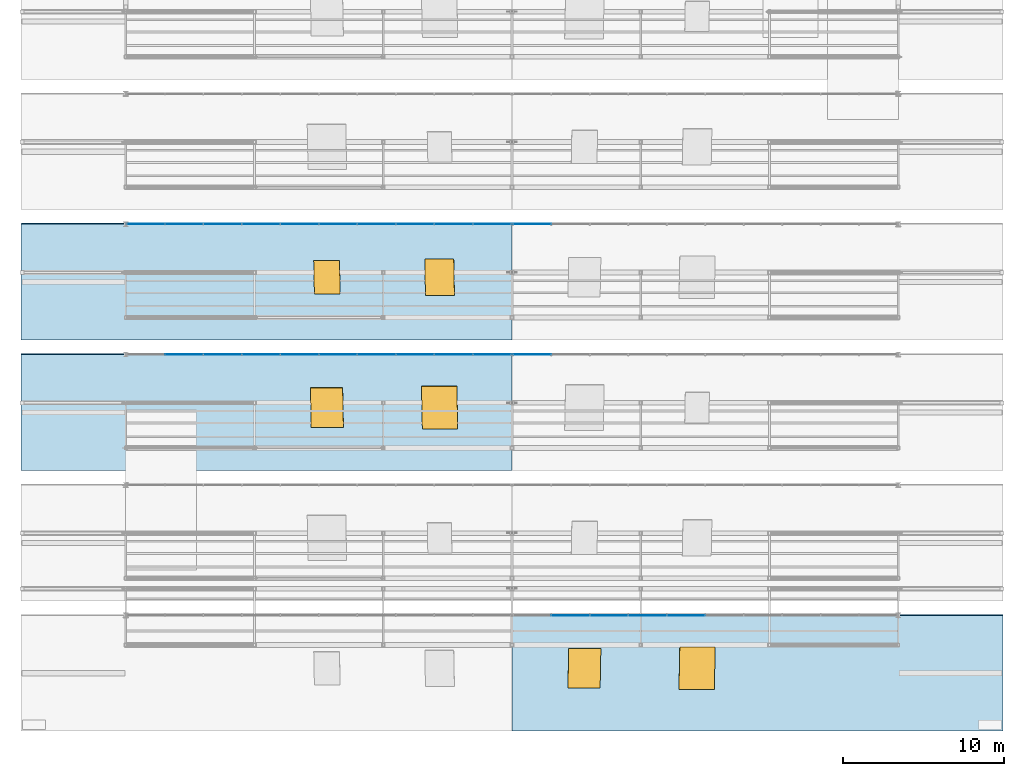
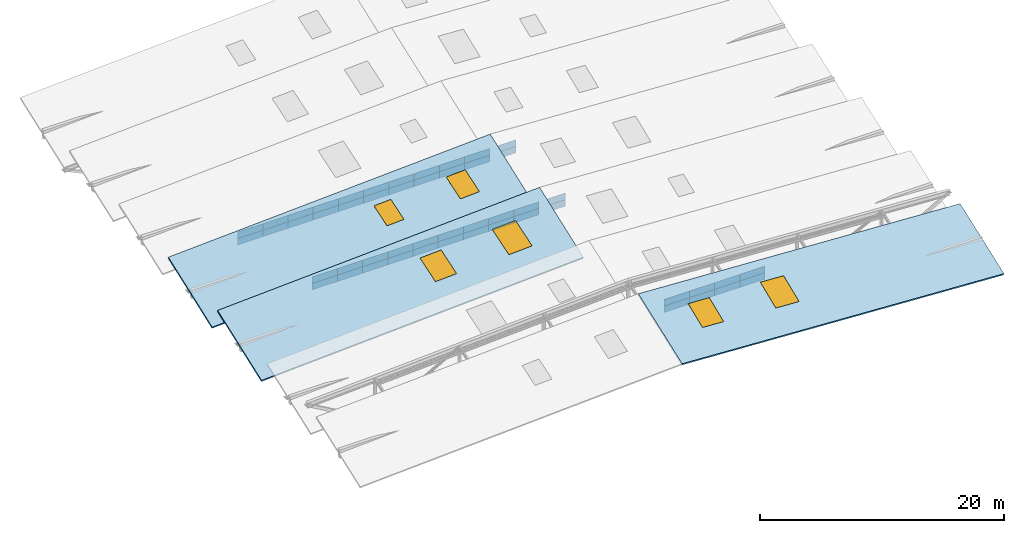
# One storey, part 127 of 141: 50 plates, 6 windows, 3 slabs, 6 openings, 6 elements without a shape of their own.
"""IFC4 building model written with IfcOpenShell, lengths in metres."""

from ifc_helpers import new_model, si_unit, direction, frame, origin, origin_2d, place, context, subcontext, project, spatial, polyline, rectangle, outline, extrude, material, layer, layer_set, type_object, element, fill, aggregate, save


model = new_model("IFC4")

# Units and contexts
model_context = context("Model", 3, precision=1e-05, world=origin(), true_north=direction((0.0, 1.0)))
body_context = subcontext(model_context, "Body", "Model", "MODEL_VIEW")
ifc_project = project(units=[si_unit("LENGTHUNIT", "METRE"), si_unit("AREAUNIT", "SQUARE_METRE"), si_unit("VOLUMEUNIT", "CUBIC_METRE"), si_unit("PLANEANGLEUNIT", "RADIAN"), si_unit("MASSUNIT", "GRAM", prefix="KILO")], contexts=[model_context])

# Site, building, storey
site_placement = place(None, origin())
site = spatial("IfcSite", under=ifc_project, at=site_placement, CompositionType="ELEMENT")
building_placement = place(site_placement, origin())
building = spatial("IfcBuilding", under=site, at=building_placement, Name="Sundkrona Museum", CompositionType="ELEMENT")
storey_placement = place(building_placement, frame((0.0, 0.0, 34.0)))
storey = spatial("IfcBuildingStorey", under=building, at=storey_placement, Name="RF", CompositionType="ELEMENT", Elevation=34.0)

# Curtain wall, plates
ifc_material_1 = material(Name="Unitised Aluminium-Steel and Ceramic-Clad Curtain Walling", Category="steel")
curtain_wall_type = type_object("IfcCurtainWallType", Name="CW-SW-240x13", PredefinedType="NOTDEFINED", material=ifc_material_1)
curtain_wall_1_placement = place(storey_placement, origin())
curtain_wall_1 = element("IfcCurtainWall", 1, at=curtain_wall_1_placement, inside=storey, type_object=curtain_wall_type, Name="Sawtooth Bay 1 East North-Light Clerestory", PredefinedType="NOTDEFINED")
ifc_material_2 = material(Name="North-Light Diffusing Triple Glazing 32 mm", Category="glass")
ifc_layer_1 = layer(ifc_material_2, 0.031982421875)
ifc_layer_set_1 = layer_set([ifc_layer_1], Name="North-Light Diffusing Triple Glazing 32 mm")
plate_type = type_object("IfcPlateType", Name="PN-GL-02", PredefinedType="CURTAIN_PANEL", material=ifc_layer_set_1)
plate_1_placement = place(storey_placement, frame((147.635009765625, 2.199951171875, 2.212890625), z_axis=(0.0, 0.0, 1.0), x_axis=(1.0, 0.0, 0.0)))
plate_1 = element("IfcPlate", 2, at=plate_1_placement, type_object=plate_type, Name="CW-RF-SAW-01E Panel 03", PredefinedType="CURTAIN_PANEL", context=body_context, shape_type="SweptSolid", body=[
    extrude(rectangle(XDim=2.389892578125, YDim=0.031982421875, at=origin_2d()), origin(), (0.0, 0.0, 1.0), 0.659912109375),
])
plate_2_placement = place(storey_placement, frame((147.635009765625, 2.199951171875, 2.873046875), z_axis=(0.0, 0.0, 1.0), x_axis=(1.0, 0.0, 0.0)))
plate_2 = element("IfcPlate", 3, at=plate_2_placement, type_object=plate_type, Name="CW-RF-SAW-01E Panel 04", PredefinedType="CURTAIN_PANEL", context=body_context, shape_type="SweptSolid", body=[
    extrude(rectangle(XDim=2.389892578125, YDim=0.031982421875, at=origin_2d()), origin(), (0.0, 0.0, 1.0), 0.659912109375),
])
plate_3_placement = place(storey_placement, frame((150.02490234375, 2.199951171875, 2.212890625), z_axis=(0.0, 0.0, 1.0), x_axis=(1.0, 0.0, 0.0)))
plate_3 = element("IfcPlate", 4, at=plate_3_placement, type_object=plate_type, Name="CW-RF-SAW-01E Panel 05", PredefinedType="CURTAIN_PANEL", context=body_context, shape_type="SweptSolid", body=[
    extrude(rectangle(XDim=2.389892578125, YDim=0.031982421875, at=origin_2d()), origin(), (0.0, 0.0, 1.0), 0.659912109375),
])
plate_4_placement = place(storey_placement, frame((150.02490234375, 2.199951171875, 2.873046875), z_axis=(0.0, 0.0, 1.0), x_axis=(1.0, 0.0, 0.0)))
plate_4 = element("IfcPlate", 5, at=plate_4_placement, type_object=plate_type, Name="CW-RF-SAW-01E Panel 06", PredefinedType="CURTAIN_PANEL", context=body_context, shape_type="SweptSolid", body=[
    extrude(rectangle(XDim=2.389892578125, YDim=0.031982421875, at=origin_2d()), origin(), (0.0, 0.0, 1.0), 0.659912109375),
])
plate_5_placement = place(storey_placement, frame((152.4150390625, 2.199951171875, 2.212890625), z_axis=(0.0, 0.0, 1.0), x_axis=(1.0, 0.0, 0.0)))
plate_5 = element("IfcPlate", 6, at=plate_5_placement, type_object=plate_type, Name="CW-RF-SAW-01E Panel 07", PredefinedType="CURTAIN_PANEL", context=body_context, shape_type="SweptSolid", body=[
    extrude(rectangle(XDim=2.389892578125, YDim=0.031982421875, at=origin_2d()), origin(), (0.0, 0.0, 1.0), 0.659912109375),
])
plate_6_placement = place(storey_placement, frame((152.4150390625, 2.199951171875, 2.873046875), z_axis=(0.0, 0.0, 1.0), x_axis=(1.0, 0.0, 0.0)))
plate_6 = element("IfcPlate", 7, at=plate_6_placement, type_object=plate_type, Name="CW-RF-SAW-01E Panel 08", PredefinedType="CURTAIN_PANEL", context=body_context, shape_type="SweptSolid", body=[
    extrude(rectangle(XDim=2.389892578125, YDim=0.031982421875, at=origin_2d()), origin(), (0.0, 0.0, 1.0), 0.659912109375),
])
plate_7_placement = place(storey_placement, frame((154.804931640625, 2.199951171875, 2.212890625), z_axis=(0.0, 0.0, 1.0), x_axis=(1.0, 0.0, 0.0)))
plate_7 = element("IfcPlate", 8, at=plate_7_placement, type_object=plate_type, Name="CW-RF-SAW-01E Panel 09", PredefinedType="CURTAIN_PANEL", context=body_context, shape_type="SweptSolid", body=[
    extrude(rectangle(XDim=2.389892578125, YDim=0.031982421875, at=origin_2d()), origin(), (0.0, 0.0, 1.0), 0.659912109375),
])
plate_8_placement = place(storey_placement, frame((154.804931640625, 2.199951171875, 2.873046875), z_axis=(0.0, 0.0, 1.0), x_axis=(1.0, 0.0, 0.0)))
plate_8 = element("IfcPlate", 9, at=plate_8_placement, type_object=plate_type, Name="CW-RF-SAW-01E Panel 10", PredefinedType="CURTAIN_PANEL", context=body_context, shape_type="SweptSolid", body=[
    extrude(rectangle(XDim=2.389892578125, YDim=0.031982421875, at=origin_2d()), origin(), (0.0, 0.0, 1.0), 0.659912109375),
])
aggregate(curtain_wall_1, [plate_1, plate_2, plate_3, plate_4, plate_5, plate_6, plate_7, plate_8])

curtain_wall_2_placement = place(storey_placement, origin())
curtain_wall_2 = element("IfcCurtainWall", 10, at=curtain_wall_2_placement, inside=storey, type_object=curtain_wall_type, Name="Sawtooth Bay 3 West North-Light Clerestory", PredefinedType="NOTDEFINED")
plate_9_placement = place(storey_placement, frame((123.635009765625, 18.39990234375, 3.05322265625), z_axis=(0.0, 0.0, 1.0), x_axis=(1.0, 0.0, 0.0)))
plate_9 = element("IfcPlate", 11, at=plate_9_placement, type_object=plate_type, Name="CW-RF-SAW-03W Panel 03", PredefinedType="CURTAIN_PANEL", context=body_context, shape_type="SweptSolid", body=[
    extrude(rectangle(XDim=2.389892578125, YDim=0.031982421875, at=origin_2d()), origin(), (0.0, 0.0, 1.0), 0.659912109375),
])
plate_10_placement = place(storey_placement, frame((123.635009765625, 18.39990234375, 3.712890625), z_axis=(0.0, 0.0, 1.0), x_axis=(1.0, 0.0, 0.0)))
plate_10 = element("IfcPlate", 12, at=plate_10_placement, type_object=plate_type, Name="CW-RF-SAW-03W Panel 04", PredefinedType="CURTAIN_PANEL", context=body_context, shape_type="SweptSolid", body=[
    extrude(rectangle(XDim=2.389892578125, YDim=0.031982421875, at=origin_2d()), origin(), (0.0, 0.0, 1.0), 0.659912109375),
])
plate_11_placement = place(storey_placement, frame((126.02490234375, 18.39990234375, 3.05322265625), z_axis=(0.0, 0.0, 1.0), x_axis=(1.0, 0.0, 0.0)))
plate_11 = element("IfcPlate", 13, at=plate_11_placement, type_object=plate_type, Name="CW-RF-SAW-03W Panel 05", PredefinedType="CURTAIN_PANEL", context=body_context, shape_type="SweptSolid", body=[
    extrude(rectangle(XDim=2.389892578125, YDim=0.031982421875, at=origin_2d()), origin(), (0.0, 0.0, 1.0), 0.659912109375),
])
plate_12_placement = place(storey_placement, frame((126.02490234375, 18.39990234375, 3.712890625), z_axis=(0.0, 0.0, 1.0), x_axis=(1.0, 0.0, 0.0)))
plate_12 = element("IfcPlate", 14, at=plate_12_placement, type_object=plate_type, Name="CW-RF-SAW-03W Panel 06", PredefinedType="CURTAIN_PANEL", context=body_context, shape_type="SweptSolid", body=[
    extrude(rectangle(XDim=2.389892578125, YDim=0.031982421875, at=origin_2d()), origin(), (0.0, 0.0, 1.0), 0.659912109375),
])
plate_13_placement = place(storey_placement, frame((128.4150390625, 18.39990234375, 3.05322265625), z_axis=(0.0, 0.0, 1.0), x_axis=(1.0, 0.0, 0.0)))
plate_13 = element("IfcPlate", 15, at=plate_13_placement, type_object=plate_type, Name="CW-RF-SAW-03W Panel 07", PredefinedType="CURTAIN_PANEL", context=body_context, shape_type="SweptSolid", body=[
    extrude(rectangle(XDim=2.389892578125, YDim=0.031982421875, at=origin_2d()), origin(), (0.0, 0.0, 1.0), 0.659912109375),
])
plate_14_placement = place(storey_placement, frame((128.4150390625, 18.39990234375, 3.712890625), z_axis=(0.0, 0.0, 1.0), x_axis=(1.0, 0.0, 0.0)))
plate_14 = element("IfcPlate", 16, at=plate_14_placement, type_object=plate_type, Name="CW-RF-SAW-03W Panel 08", PredefinedType="CURTAIN_PANEL", context=body_context, shape_type="SweptSolid", body=[
    extrude(rectangle(XDim=2.389892578125, YDim=0.031982421875, at=origin_2d()), origin(), (0.0, 0.0, 1.0), 0.659912109375),
])
plate_15_placement = place(storey_placement, frame((130.804931640625, 18.39990234375, 3.05322265625), z_axis=(0.0, 0.0, 1.0), x_axis=(1.0, 0.0, 0.0)))
plate_15 = element("IfcPlate", 17, at=plate_15_placement, type_object=plate_type, Name="CW-RF-SAW-03W Panel 09", PredefinedType="CURTAIN_PANEL", context=body_context, shape_type="SweptSolid", body=[
    extrude(rectangle(XDim=2.389892578125, YDim=0.031982421875, at=origin_2d()), origin(), (0.0, 0.0, 1.0), 0.659912109375),
])
plate_16_placement = place(storey_placement, frame((130.804931640625, 18.39990234375, 3.712890625), z_axis=(0.0, 0.0, 1.0), x_axis=(1.0, 0.0, 0.0)))
plate_16 = element("IfcPlate", 18, at=plate_16_placement, type_object=plate_type, Name="CW-RF-SAW-03W Panel 10", PredefinedType="CURTAIN_PANEL", context=body_context, shape_type="SweptSolid", body=[
    extrude(rectangle(XDim=2.389892578125, YDim=0.031982421875, at=origin_2d()), origin(), (0.0, 0.0, 1.0), 0.659912109375),
])
plate_17_placement = place(storey_placement, frame((133.195068359375, 18.39990234375, 3.05322265625), z_axis=(0.0, 0.0, 1.0), x_axis=(1.0, 0.0, 0.0)))
plate_17 = element("IfcPlate", 19, at=plate_17_placement, type_object=plate_type, Name="CW-RF-SAW-03W Panel 11", PredefinedType="CURTAIN_PANEL", context=body_context, shape_type="SweptSolid", body=[
    extrude(rectangle(XDim=2.389892578125, YDim=0.031982421875, at=origin_2d()), origin(), (0.0, 0.0, 1.0), 0.659912109375),
])
plate_18_placement = place(storey_placement, frame((133.195068359375, 18.39990234375, 3.712890625), z_axis=(0.0, 0.0, 1.0), x_axis=(1.0, 0.0, 0.0)))
plate_18 = element("IfcPlate", 20, at=plate_18_placement, type_object=plate_type, Name="CW-RF-SAW-03W Panel 12", PredefinedType="CURTAIN_PANEL", context=body_context, shape_type="SweptSolid", body=[
    extrude(rectangle(XDim=2.389892578125, YDim=0.031982421875, at=origin_2d()), origin(), (0.0, 0.0, 1.0), 0.659912109375),
])
plate_19_placement = place(storey_placement, frame((135.5849609375, 18.39990234375, 3.05322265625), z_axis=(0.0, 0.0, 1.0), x_axis=(1.0, 0.0, 0.0)))
plate_19 = element("IfcPlate", 21, at=plate_19_placement, type_object=plate_type, Name="CW-RF-SAW-03W Panel 13", PredefinedType="CURTAIN_PANEL", context=body_context, shape_type="SweptSolid", body=[
    extrude(rectangle(XDim=2.389892578125, YDim=0.031982421875, at=origin_2d()), origin(), (0.0, 0.0, 1.0), 0.659912109375),
])
plate_20_placement = place(storey_placement, frame((135.5849609375, 18.39990234375, 3.712890625), z_axis=(0.0, 0.0, 1.0), x_axis=(1.0, 0.0, 0.0)))
plate_20 = element("IfcPlate", 22, at=plate_20_placement, type_object=plate_type, Name="CW-RF-SAW-03W Panel 14", PredefinedType="CURTAIN_PANEL", context=body_context, shape_type="SweptSolid", body=[
    extrude(rectangle(XDim=2.389892578125, YDim=0.031982421875, at=origin_2d()), origin(), (0.0, 0.0, 1.0), 0.659912109375),
])
plate_21_placement = place(storey_placement, frame((137.97509765625, 18.39990234375, 3.05322265625), z_axis=(0.0, 0.0, 1.0), x_axis=(1.0, 0.0, 0.0)))
plate_21 = element("IfcPlate", 23, at=plate_21_placement, type_object=plate_type, Name="CW-RF-SAW-03W Panel 15", PredefinedType="CURTAIN_PANEL", context=body_context, shape_type="SweptSolid", body=[
    extrude(rectangle(XDim=2.389892578125, YDim=0.031982421875, at=origin_2d()), origin(), (0.0, 0.0, 1.0), 0.659912109375),
])
plate_22_placement = place(storey_placement, frame((137.97509765625, 18.39990234375, 3.712890625), z_axis=(0.0, 0.0, 1.0), x_axis=(1.0, 0.0, 0.0)))
plate_22 = element("IfcPlate", 24, at=plate_22_placement, type_object=plate_type, Name="CW-RF-SAW-03W Panel 16", PredefinedType="CURTAIN_PANEL", context=body_context, shape_type="SweptSolid", body=[
    extrude(rectangle(XDim=2.389892578125, YDim=0.031982421875, at=origin_2d()), origin(), (0.0, 0.0, 1.0), 0.659912109375),
])
plate_23_placement = place(storey_placement, frame((140.364990234375, 18.39990234375, 3.05322265625), z_axis=(0.0, 0.0, 1.0), x_axis=(1.0, 0.0, 0.0)))
plate_23 = element("IfcPlate", 25, at=plate_23_placement, type_object=plate_type, Name="CW-RF-SAW-03W Panel 17", PredefinedType="CURTAIN_PANEL", context=body_context, shape_type="SweptSolid", body=[
    extrude(rectangle(XDim=2.389892578125, YDim=0.031982421875, at=origin_2d()), origin(), (0.0, 0.0, 1.0), 0.659912109375),
])
plate_24_placement = place(storey_placement, frame((140.364990234375, 18.39990234375, 3.712890625), z_axis=(0.0, 0.0, 1.0), x_axis=(1.0, 0.0, 0.0)))
plate_24 = element("IfcPlate", 26, at=plate_24_placement, type_object=plate_type, Name="CW-RF-SAW-03W Panel 18", PredefinedType="CURTAIN_PANEL", context=body_context, shape_type="SweptSolid", body=[
    extrude(rectangle(XDim=2.389892578125, YDim=0.031982421875, at=origin_2d()), origin(), (0.0, 0.0, 1.0), 0.659912109375),
])
plate_25_placement = place(storey_placement, frame((142.7548828125, 18.39990234375, 3.05322265625), z_axis=(0.0, 0.0, 1.0), x_axis=(1.0, 0.0, 0.0)))
plate_25 = element("IfcPlate", 27, at=plate_25_placement, type_object=plate_type, Name="CW-RF-SAW-03W Panel 19", PredefinedType="CURTAIN_PANEL", context=body_context, shape_type="SweptSolid", body=[
    extrude(rectangle(XDim=2.389892578125, YDim=0.031982421875, at=origin_2d()), origin(), (0.0, 0.0, 1.0), 0.659912109375),
])
plate_26_placement = place(storey_placement, frame((142.7548828125, 18.39990234375, 3.712890625), z_axis=(0.0, 0.0, 1.0), x_axis=(1.0, 0.0, 0.0)))
plate_26 = element("IfcPlate", 28, at=plate_26_placement, type_object=plate_type, Name="CW-RF-SAW-03W Panel 20", PredefinedType="CURTAIN_PANEL", context=body_context, shape_type="SweptSolid", body=[
    extrude(rectangle(XDim=2.389892578125, YDim=0.031982421875, at=origin_2d()), origin(), (0.0, 0.0, 1.0), 0.659912109375),
])
aggregate(curtain_wall_2, [plate_9, plate_10, plate_11, plate_12, plate_13, plate_14, plate_15, plate_16, plate_17, plate_18, plate_19, plate_20, plate_21, plate_22, plate_23, plate_24, plate_25, plate_26])

curtain_wall_3_placement = place(storey_placement, origin())
curtain_wall_3 = element("IfcCurtainWall", 29, at=curtain_wall_3_placement, inside=storey, type_object=curtain_wall_type, Name="Sawtooth Bay 3 East North-Light Clerestory", PredefinedType="NOTDEFINED")
plate_27_placement = place(storey_placement, frame((145.2451171875, 18.39990234375, 3.05322265625), z_axis=(0.0, 0.0, 1.0), x_axis=(1.0, 0.0, 0.0)))
plate_27 = element("IfcPlate", 30, at=plate_27_placement, type_object=plate_type, Name="CW-RF-SAW-03E Panel 01", PredefinedType="CURTAIN_PANEL", context=body_context, shape_type="SweptSolid", body=[
    extrude(rectangle(XDim=2.389892578125, YDim=0.031982421875, at=origin_2d()), origin(), (0.0, 0.0, 1.0), 0.659912109375),
])
plate_28_placement = place(storey_placement, frame((145.2451171875, 18.39990234375, 3.712890625), z_axis=(0.0, 0.0, 1.0), x_axis=(1.0, 0.0, 0.0)))
plate_28 = element("IfcPlate", 31, at=plate_28_placement, type_object=plate_type, Name="CW-RF-SAW-03E Panel 02", PredefinedType="CURTAIN_PANEL", context=body_context, shape_type="SweptSolid", body=[
    extrude(rectangle(XDim=2.389892578125, YDim=0.031982421875, at=origin_2d()), origin(), (0.0, 0.0, 1.0), 0.659912109375),
])
aggregate(curtain_wall_3, [plate_27, plate_28])

curtain_wall_4_placement = place(storey_placement, origin())
curtain_wall_4 = element("IfcCurtainWall", 32, at=curtain_wall_4_placement, inside=storey, type_object=curtain_wall_type, Name="Sawtooth Bay 4 West North-Light Clerestory", PredefinedType="NOTDEFINED")
plate_29_placement = place(storey_placement, frame((121.2451171875, 26.5, 3.47314453125), z_axis=(0.0, 0.0, 1.0), x_axis=(1.0, 0.0, 0.0)))
plate_29 = element("IfcPlate", 33, at=plate_29_placement, type_object=plate_type, Name="CW-RF-SAW-04W Panel 01", PredefinedType="CURTAIN_PANEL", context=body_context, shape_type="SweptSolid", body=[
    extrude(rectangle(XDim=2.389892578125, YDim=0.031982421875, at=origin_2d()), origin(), (0.0, 0.0, 1.0), 0.659912109375),
])
plate_30_placement = place(storey_placement, frame((121.2451171875, 26.5, 4.1328125), z_axis=(0.0, 0.0, 1.0), x_axis=(1.0, 0.0, 0.0)))
plate_30 = element("IfcPlate", 34, at=plate_30_placement, type_object=plate_type, Name="CW-RF-SAW-04W Panel 02", PredefinedType="CURTAIN_PANEL", context=body_context, shape_type="SweptSolid", body=[
    extrude(rectangle(XDim=2.389892578125, YDim=0.031982421875, at=origin_2d()), origin(), (0.0, 0.0, 1.0), 0.659912109375),
])
plate_31_placement = place(storey_placement, frame((123.635009765625, 26.5, 3.47314453125), z_axis=(0.0, 0.0, 1.0), x_axis=(1.0, 0.0, 0.0)))
plate_31 = element("IfcPlate", 35, at=plate_31_placement, type_object=plate_type, Name="CW-RF-SAW-04W Panel 03", PredefinedType="CURTAIN_PANEL", context=body_context, shape_type="SweptSolid", body=[
    extrude(rectangle(XDim=2.389892578125, YDim=0.031982421875, at=origin_2d()), origin(), (0.0, 0.0, 1.0), 0.659912109375),
])
plate_32_placement = place(storey_placement, frame((123.635009765625, 26.5, 4.1328125), z_axis=(0.0, 0.0, 1.0), x_axis=(1.0, 0.0, 0.0)))
plate_32 = element("IfcPlate", 36, at=plate_32_placement, type_object=plate_type, Name="CW-RF-SAW-04W Panel 04", PredefinedType="CURTAIN_PANEL", context=body_context, shape_type="SweptSolid", body=[
    extrude(rectangle(XDim=2.389892578125, YDim=0.031982421875, at=origin_2d()), origin(), (0.0, 0.0, 1.0), 0.659912109375),
])
plate_33_placement = place(storey_placement, frame((126.02490234375, 26.5, 3.47314453125), z_axis=(0.0, 0.0, 1.0), x_axis=(1.0, 0.0, 0.0)))
plate_33 = element("IfcPlate", 37, at=plate_33_placement, type_object=plate_type, Name="CW-RF-SAW-04W Panel 05", PredefinedType="CURTAIN_PANEL", context=body_context, shape_type="SweptSolid", body=[
    extrude(rectangle(XDim=2.389892578125, YDim=0.031982421875, at=origin_2d()), origin(), (0.0, 0.0, 1.0), 0.659912109375),
])
plate_34_placement = place(storey_placement, frame((126.02490234375, 26.5, 4.1328125), z_axis=(0.0, 0.0, 1.0), x_axis=(1.0, 0.0, 0.0)))
plate_34 = element("IfcPlate", 38, at=plate_34_placement, type_object=plate_type, Name="CW-RF-SAW-04W Panel 06", PredefinedType="CURTAIN_PANEL", context=body_context, shape_type="SweptSolid", body=[
    extrude(rectangle(XDim=2.389892578125, YDim=0.031982421875, at=origin_2d()), origin(), (0.0, 0.0, 1.0), 0.659912109375),
])
plate_35_placement = place(storey_placement, frame((128.4150390625, 26.5, 3.47314453125), z_axis=(0.0, 0.0, 1.0), x_axis=(1.0, 0.0, 0.0)))
plate_35 = element("IfcPlate", 39, at=plate_35_placement, type_object=plate_type, Name="CW-RF-SAW-04W Panel 07", PredefinedType="CURTAIN_PANEL", context=body_context, shape_type="SweptSolid", body=[
    extrude(rectangle(XDim=2.389892578125, YDim=0.031982421875, at=origin_2d()), origin(), (0.0, 0.0, 1.0), 0.659912109375),
])
plate_36_placement = place(storey_placement, frame((128.4150390625, 26.5, 4.1328125), z_axis=(0.0, 0.0, 1.0), x_axis=(1.0, 0.0, 0.0)))
plate_36 = element("IfcPlate", 40, at=plate_36_placement, type_object=plate_type, Name="CW-RF-SAW-04W Panel 08", PredefinedType="CURTAIN_PANEL", context=body_context, shape_type="SweptSolid", body=[
    extrude(rectangle(XDim=2.389892578125, YDim=0.031982421875, at=origin_2d()), origin(), (0.0, 0.0, 1.0), 0.659912109375),
])
plate_37_placement = place(storey_placement, frame((130.804931640625, 26.5, 3.47314453125), z_axis=(0.0, 0.0, 1.0), x_axis=(1.0, 0.0, 0.0)))
plate_37 = element("IfcPlate", 41, at=plate_37_placement, type_object=plate_type, Name="CW-RF-SAW-04W Panel 09", PredefinedType="CURTAIN_PANEL", context=body_context, shape_type="SweptSolid", body=[
    extrude(rectangle(XDim=2.389892578125, YDim=0.031982421875, at=origin_2d()), origin(), (0.0, 0.0, 1.0), 0.659912109375),
])
plate_38_placement = place(storey_placement, frame((130.804931640625, 26.5, 4.1328125), z_axis=(0.0, 0.0, 1.0), x_axis=(1.0, 0.0, 0.0)))
plate_38 = element("IfcPlate", 42, at=plate_38_placement, type_object=plate_type, Name="CW-RF-SAW-04W Panel 10", PredefinedType="CURTAIN_PANEL", context=body_context, shape_type="SweptSolid", body=[
    extrude(rectangle(XDim=2.389892578125, YDim=0.031982421875, at=origin_2d()), origin(), (0.0, 0.0, 1.0), 0.659912109375),
])
plate_39_placement = place(storey_placement, frame((133.195068359375, 26.5, 3.47314453125), z_axis=(0.0, 0.0, 1.0), x_axis=(1.0, 0.0, 0.0)))
plate_39 = element("IfcPlate", 43, at=plate_39_placement, type_object=plate_type, Name="CW-RF-SAW-04W Panel 11", PredefinedType="CURTAIN_PANEL", context=body_context, shape_type="SweptSolid", body=[
    extrude(rectangle(XDim=2.389892578125, YDim=0.031982421875, at=origin_2d()), origin(), (0.0, 0.0, 1.0), 0.659912109375),
])
plate_40_placement = place(storey_placement, frame((133.195068359375, 26.5, 4.1328125), z_axis=(0.0, 0.0, 1.0), x_axis=(1.0, 0.0, 0.0)))
plate_40 = element("IfcPlate", 44, at=plate_40_placement, type_object=plate_type, Name="CW-RF-SAW-04W Panel 12", PredefinedType="CURTAIN_PANEL", context=body_context, shape_type="SweptSolid", body=[
    extrude(rectangle(XDim=2.389892578125, YDim=0.031982421875, at=origin_2d()), origin(), (0.0, 0.0, 1.0), 0.659912109375),
])
plate_41_placement = place(storey_placement, frame((135.5849609375, 26.5, 3.47314453125), z_axis=(0.0, 0.0, 1.0), x_axis=(1.0, 0.0, 0.0)))
plate_41 = element("IfcPlate", 45, at=plate_41_placement, type_object=plate_type, Name="CW-RF-SAW-04W Panel 13", PredefinedType="CURTAIN_PANEL", context=body_context, shape_type="SweptSolid", body=[
    extrude(rectangle(XDim=2.389892578125, YDim=0.031982421875, at=origin_2d()), origin(), (0.0, 0.0, 1.0), 0.659912109375),
])
plate_42_placement = place(storey_placement, frame((135.5849609375, 26.5, 4.1328125), z_axis=(0.0, 0.0, 1.0), x_axis=(1.0, 0.0, 0.0)))
plate_42 = element("IfcPlate", 46, at=plate_42_placement, type_object=plate_type, Name="CW-RF-SAW-04W Panel 14", PredefinedType="CURTAIN_PANEL", context=body_context, shape_type="SweptSolid", body=[
    extrude(rectangle(XDim=2.389892578125, YDim=0.031982421875, at=origin_2d()), origin(), (0.0, 0.0, 1.0), 0.659912109375),
])
plate_43_placement = place(storey_placement, frame((137.97509765625, 26.5, 3.47314453125), z_axis=(0.0, 0.0, 1.0), x_axis=(1.0, 0.0, 0.0)))
plate_43 = element("IfcPlate", 47, at=plate_43_placement, type_object=plate_type, Name="CW-RF-SAW-04W Panel 15", PredefinedType="CURTAIN_PANEL", context=body_context, shape_type="SweptSolid", body=[
    extrude(rectangle(XDim=2.389892578125, YDim=0.031982421875, at=origin_2d()), origin(), (0.0, 0.0, 1.0), 0.659912109375),
])
plate_44_placement = place(storey_placement, frame((137.97509765625, 26.5, 4.1328125), z_axis=(0.0, 0.0, 1.0), x_axis=(1.0, 0.0, 0.0)))
plate_44 = element("IfcPlate", 48, at=plate_44_placement, type_object=plate_type, Name="CW-RF-SAW-04W Panel 16", PredefinedType="CURTAIN_PANEL", context=body_context, shape_type="SweptSolid", body=[
    extrude(rectangle(XDim=2.389892578125, YDim=0.031982421875, at=origin_2d()), origin(), (0.0, 0.0, 1.0), 0.659912109375),
])
plate_45_placement = place(storey_placement, frame((140.364990234375, 26.5, 3.47314453125), z_axis=(0.0, 0.0, 1.0), x_axis=(1.0, 0.0, 0.0)))
plate_45 = element("IfcPlate", 49, at=plate_45_placement, type_object=plate_type, Name="CW-RF-SAW-04W Panel 17", PredefinedType="CURTAIN_PANEL", context=body_context, shape_type="SweptSolid", body=[
    extrude(rectangle(XDim=2.389892578125, YDim=0.031982421875, at=origin_2d()), origin(), (0.0, 0.0, 1.0), 0.659912109375),
])
plate_46_placement = place(storey_placement, frame((140.364990234375, 26.5, 4.1328125), z_axis=(0.0, 0.0, 1.0), x_axis=(1.0, 0.0, 0.0)))
plate_46 = element("IfcPlate", 50, at=plate_46_placement, type_object=plate_type, Name="CW-RF-SAW-04W Panel 18", PredefinedType="CURTAIN_PANEL", context=body_context, shape_type="SweptSolid", body=[
    extrude(rectangle(XDim=2.389892578125, YDim=0.031982421875, at=origin_2d()), origin(), (0.0, 0.0, 1.0), 0.659912109375),
])
plate_47_placement = place(storey_placement, frame((142.7548828125, 26.5, 3.47314453125), z_axis=(0.0, 0.0, 1.0), x_axis=(1.0, 0.0, 0.0)))
plate_47 = element("IfcPlate", 51, at=plate_47_placement, type_object=plate_type, Name="CW-RF-SAW-04W Panel 19", PredefinedType="CURTAIN_PANEL", context=body_context, shape_type="SweptSolid", body=[
    extrude(rectangle(XDim=2.389892578125, YDim=0.031982421875, at=origin_2d()), origin(), (0.0, 0.0, 1.0), 0.659912109375),
])
plate_48_placement = place(storey_placement, frame((142.7548828125, 26.5, 4.1328125), z_axis=(0.0, 0.0, 1.0), x_axis=(1.0, 0.0, 0.0)))
plate_48 = element("IfcPlate", 52, at=plate_48_placement, type_object=plate_type, Name="CW-RF-SAW-04W Panel 20", PredefinedType="CURTAIN_PANEL", context=body_context, shape_type="SweptSolid", body=[
    extrude(rectangle(XDim=2.389892578125, YDim=0.031982421875, at=origin_2d()), origin(), (0.0, 0.0, 1.0), 0.659912109375),
])
aggregate(curtain_wall_4, [plate_29, plate_30, plate_31, plate_32, plate_33, plate_34, plate_35, plate_36, plate_37, plate_38, plate_39, plate_40, plate_41, plate_42, plate_43, plate_44, plate_45, plate_46, plate_47, plate_48])

curtain_wall_5_placement = place(storey_placement, origin())
curtain_wall_5 = element("IfcCurtainWall", 53, at=curtain_wall_5_placement, inside=storey, type_object=curtain_wall_type, Name="Sawtooth Bay 4 East North-Light Clerestory", PredefinedType="NOTDEFINED")
plate_49_placement = place(storey_placement, frame((145.2451171875, 26.5, 3.47314453125), z_axis=(0.0, 0.0, 1.0), x_axis=(1.0, 0.0, 0.0)))
plate_49 = element("IfcPlate", 54, at=plate_49_placement, type_object=plate_type, Name="CW-RF-SAW-04E Panel 01", PredefinedType="CURTAIN_PANEL", context=body_context, shape_type="SweptSolid", body=[
    extrude(rectangle(XDim=2.389892578125, YDim=0.031982421875, at=origin_2d()), origin(), (0.0, 0.0, 1.0), 0.659912109375),
])
plate_50_placement = place(storey_placement, frame((145.2451171875, 26.5, 4.1328125), z_axis=(0.0, 0.0, 1.0), x_axis=(1.0, 0.0, 0.0)))
plate_50 = element("IfcPlate", 55, at=plate_50_placement, type_object=plate_type, Name="CW-RF-SAW-04E Panel 02", PredefinedType="CURTAIN_PANEL", context=body_context, shape_type="SweptSolid", body=[
    extrude(rectangle(XDim=2.389892578125, YDim=0.031982421875, at=origin_2d()), origin(), (0.0, 0.0, 1.0), 0.659912109375),
])
aggregate(curtain_wall_5, [plate_49, plate_50])

# Roof, slabs, openings, windows
ifc_material_3 = material(Name="Patinated Copper and Composite Steel-Concrete", Category="concrete")
ifc_layer_2 = layer(ifc_material_3, 0.179931640625)
ifc_layer_set_2 = layer_set([ifc_layer_2], Name="Patinated Copper and Composite Steel-Concrete")
roof_type = type_object("IfcRoofType", Name="ROOF-PAV", PredefinedType="PAVILION_ROOF", material=ifc_layer_set_2)
roof_placement = place(storey_placement, origin())
roof = element("IfcRoof", 56, at=roof_placement, inside=storey, type_object=roof_type, Name="Volume 1 Crown Seven-Bay Sawtooth North-Light Roof", PredefinedType="PAVILION_ROOF")
ifc_material_4 = material(Name="Concrete C35/45", Category="concrete")
ifc_layer_3 = layer(ifc_material_4, 0.179931640625)
ifc_layer_set_3 = layer_set([ifc_layer_3], Name="Concrete C35/45")
slab_type = type_object("IfcSlabType", Name="SL-SW-180", PredefinedType="ROOF", material=ifc_layer_set_3)
slab_1_placement = place(storey_placement, frame((144.0, -5.0, 2.300048828125), z_axis=(0.050704191351, -0.344963903747, 0.937245426818), x_axis=(0.998539819047, -1.292119e-06, -0.054020642131)))
slab_1 = element("IfcSlab", 57, at=slab_1_placement, type_object=slab_type, Name="Sawtooth Folded Blade 1 East", PredefinedType="ROOF", context=body_context, shape_type="SweptSolid", body=[
    extrude(outline(polyline([(0.0, 0.0), (30.544606453624603, 1.1102230246251565e-16), (30.401434535602995, 7.670858821203123), (-0.1431587293882732, 7.670774724492062), (0.0, 0.0)])), origin(), (0.0, 0.0, -1.0), 0.179931640625),
])
opening_1_placement = place(slab_1_placement, frame((4.428955078125, 4.155029296875, 0.010009765625)))
opening_1 = element("IfcOpeningElement", 58, at=opening_1_placement, cuts=slab_1, Name="Opening RL-200x260", PredefinedType="OPENING", context=body_context, shape_type="SweptSolid", body=[
    extrude(rectangle(XDim=2.0, YDim=2.60009765625, at=origin_2d()), origin(), (0.0, 0.0, -1.0), 0.199951171875),
])
opening_2_placement = place(slab_1_placement, frame((11.439208984375, 4.155029296875, 0.010009765625)))
opening_2 = element("IfcOpeningElement", 59, at=opening_2_placement, cuts=slab_1, Name="Opening RL-220x280", PredefinedType="OPENING", context=body_context, shape_type="SweptSolid", body=[
    extrude(rectangle(XDim=2.199951171875, YDim=2.800048828125, at=origin_2d()), origin(), (0.0, 0.0, -1.0), 0.199951171875),
])
ifc_material_5 = material(Name="Triple Laminated UV-Filtered Skylight Glazing", Category="glass")
window_type_1 = type_object("IfcWindowType", Name="RL-200x260", PartitioningType="SINGLE_PANEL", PredefinedType="SKYLIGHT", material=ifc_material_5)
window_1_placement = place(slab_1_placement, frame((4.428955078125, 4.155029296875, 0.0)))
window_1 = element("IfcWindow", 60, at=window_1_placement, inside=storey, type_object=window_type_1, Name="Rooflight", OverallHeight=2.60009765625, OverallWidth=2.0, PartitioningType="SINGLE_PANEL", PredefinedType="SKYLIGHT", context=body_context, shape_type="SweptSolid", body=[
    extrude(rectangle(XDim=2.0, YDim=2.60009765625, at=origin_2d()), origin(), (0.0, 0.0, -1.0), 0.06005859375),
])
fill(opening_1, window_1)
window_type_2 = type_object("IfcWindowType", Name="RL-220x280", PartitioningType="SINGLE_PANEL", PredefinedType="SKYLIGHT", material=ifc_material_5)
window_2_placement = place(slab_1_placement, frame((11.439208984375, 4.155029296875, 0.0)))
window_2 = element("IfcWindow", 61, at=window_2_placement, inside=storey, type_object=window_type_2, Name="Rooflight", OverallHeight=2.800048828125, OverallWidth=2.199951171875, PartitioningType="SINGLE_PANEL", PredefinedType="SKYLIGHT", context=body_context, shape_type="SweptSolid", body=[
    extrude(rectangle(XDim=2.199951171875, YDim=2.800048828125, at=origin_2d()), origin(), (0.0, 0.0, -1.0), 0.06005859375),
])
fill(opening_2, window_2)
slab_2_placement = place(storey_placement, frame((113.5, 11.199951171875, 1.489990234375), z_axis=(-0.050704191351, -0.344963903747, 0.937245426818), x_axis=(0.998539870354, -1.29212e-06, 0.054019693748)))
slab_2 = element("IfcSlab", 62, at=slab_2_placement, type_object=slab_type, Name="Sawtooth Folded Blade 3 West", PredefinedType="ROOF", context=body_context, shape_type="SweptSolid", body=[
    extrude(outline(polyline([(0.0, 0.0), (30.544593265107036, -1.1102230246251565e-16), (30.68774406338385, 7.670859215361239), (0.14313760987502253, 7.670775118613867), (0.0, 0.0)])), origin(), (0.0, 0.0, -1.0), 0.179931640625),
])
opening_3_placement = place(slab_2_placement, frame((19.105224609375, 4.1552734375, 0.010009765625)))
opening_3 = element("IfcOpeningElement", 63, at=opening_3_placement, cuts=slab_2, Name="Opening RL-200x260", PredefinedType="OPENING", context=body_context, shape_type="SweptSolid", body=[
    extrude(rectangle(XDim=2.0, YDim=2.60009765625, at=origin_2d()), origin(), (0.0, 0.0, -1.0), 0.199951171875),
])
opening_4_placement = place(slab_2_placement, frame((26.115478515625, 4.1552734375, 0.010009765625)))
opening_4 = element("IfcOpeningElement", 64, at=opening_4_placement, cuts=slab_2, Name="Opening RL-220x280", PredefinedType="OPENING", context=body_context, shape_type="SweptSolid", body=[
    extrude(rectangle(XDim=2.199951171875, YDim=2.800048828125, at=origin_2d()), origin(), (0.0, 0.0, -1.0), 0.199951171875),
])
window_3_placement = place(slab_2_placement, frame((19.105224609375, 4.1552734375, 0.0)))
window_3 = element("IfcWindow", 65, at=window_3_placement, inside=storey, type_object=window_type_1, Name="Rooflight", OverallHeight=2.60009765625, OverallWidth=2.0, PartitioningType="SINGLE_PANEL", PredefinedType="SKYLIGHT", context=body_context, shape_type="SweptSolid", body=[
    extrude(rectangle(XDim=2.0, YDim=2.60009765625, at=origin_2d()), origin(), (0.0, 0.0, -1.0), 0.06005859375),
])
fill(opening_3, window_3)
window_4_placement = place(slab_2_placement, frame((26.115478515625, 4.1552734375, 0.0)))
window_4 = element("IfcWindow", 66, at=window_4_placement, inside=storey, type_object=window_type_2, Name="Rooflight", OverallHeight=2.800048828125, OverallWidth=2.199951171875, PartitioningType="SINGLE_PANEL", PredefinedType="SKYLIGHT", context=body_context, shape_type="SweptSolid", body=[
    extrude(rectangle(XDim=2.199951171875, YDim=2.800048828125, at=origin_2d()), origin(), (0.0, 0.0, -1.0), 0.06005859375),
])
fill(opening_4, window_4)
slab_3_placement = place(storey_placement, frame((113.5, 19.300048828125, 1.909912109375), z_axis=(-0.050704191351, -0.344963903747, 0.937245426818), x_axis=(0.998539819047, 1.292119e-06, 0.054020642131)))
slab_3 = element("IfcSlab", 67, at=slab_3_placement, type_object=slab_type, Name="Sawtooth Folded Blade 4 West", PredefinedType="ROOF", context=body_context, shape_type="SweptSolid", body=[
    extrude(outline(polyline([(0.0, 0.0), (30.544606453624603, -1.1102230246251565e-16), (30.687765183012875, 7.670774724492062), (0.14317191802160603, 7.670858821203123), (0.0, 0.0)])), origin(), (0.0, 0.0, -1.0), 0.179931640625),
])
opening_5_placement = place(slab_3_placement, frame((19.105224609375, 4.155029296875, 0.010009765625)))
opening_5 = element("IfcOpeningElement", 68, at=opening_5_placement, cuts=slab_3, Name="Opening RL-160x220", PredefinedType="OPENING", context=body_context, shape_type="SweptSolid", body=[
    extrude(rectangle(XDim=1.60009765625, YDim=2.199951171875, at=origin_2d()), origin(), (0.0, 0.0, -1.0), 0.199951171875),
])
opening_6_placement = place(slab_3_placement, frame((26.115478515625, 4.155029296875, 0.010009765625)))
opening_6 = element("IfcOpeningElement", 69, at=opening_6_placement, cuts=slab_3, Name="Opening RL-180x240", PredefinedType="OPENING", context=body_context, shape_type="SweptSolid", body=[
    extrude(rectangle(XDim=1.800048828125, YDim=2.39990234375, at=origin_2d()), origin(), (0.0, 0.0, -1.0), 0.199951171875),
])
window_type_3 = type_object("IfcWindowType", Name="RL-160x220", PartitioningType="SINGLE_PANEL", PredefinedType="SKYLIGHT", material=ifc_material_5)
window_5_placement = place(slab_3_placement, frame((19.105224609375, 4.155029296875, 0.0)))
window_5 = element("IfcWindow", 70, at=window_5_placement, inside=storey, type_object=window_type_3, Name="Rooflight", OverallHeight=2.199951171875, OverallWidth=1.60009765625, PartitioningType="SINGLE_PANEL", PredefinedType="SKYLIGHT", context=body_context, shape_type="SweptSolid", body=[
    extrude(rectangle(XDim=1.60009765625, YDim=2.199951171875, at=origin_2d()), origin(), (0.0, 0.0, -1.0), 0.06005859375),
])
fill(opening_5, window_5)
window_type_4 = type_object("IfcWindowType", Name="RL-180x240", PartitioningType="SINGLE_PANEL", PredefinedType="SKYLIGHT", material=ifc_material_5)
window_6_placement = place(slab_3_placement, frame((26.115478515625, 4.155029296875, 0.0)))
window_6 = element("IfcWindow", 71, at=window_6_placement, inside=storey, type_object=window_type_4, Name="Rooflight", OverallHeight=2.39990234375, OverallWidth=1.800048828125, PartitioningType="SINGLE_PANEL", PredefinedType="SKYLIGHT", context=body_context, shape_type="SweptSolid", body=[
    extrude(rectangle(XDim=1.800048828125, YDim=2.39990234375, at=origin_2d()), origin(), (0.0, 0.0, -1.0), 0.06005859375),
])
fill(opening_6, window_6)
aggregate(roof, [slab_1, slab_2, slab_3])

save(model, "model.ifc")
